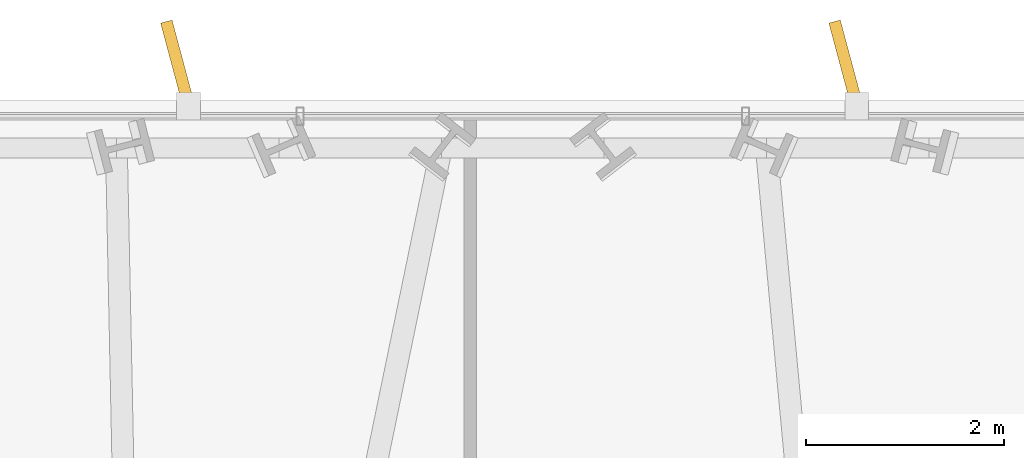
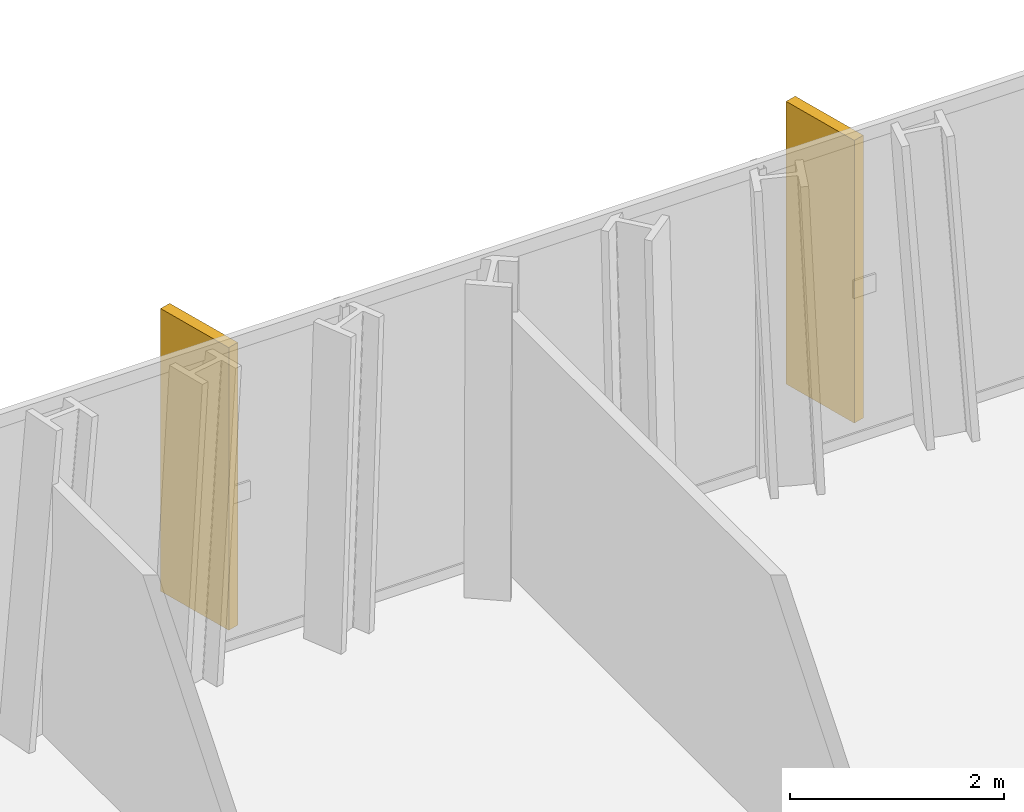
# One storey, part 31 of 31: 2 shading devices.
"""IFC4 building model written with IfcOpenShell, lengths in metres."""

import ifcopenshell
import ifcopenshell.guid

model = None  # the IFC model being written
_history = None  # IfcOwnerHistory: only IFC2X3 demands one
_inside = {}  # id of a spatial element -> (the spatial element, [elements in it])
_under = {}  # id of a project, library or spatial element -> (it, [spatial elements below it])
_declared = {}  # id of a project -> (the project, [libraries it declares])
_typed = {}  # id of a type object -> (the type object, [elements of that type])
_made_of = {}  # id of a material, layer set ... -> (it, [elements and type objects made of it])


def new_model(schema):
    """Start an empty IFC model of exactly this schema.

    Asked for "IFC4X3", IfcOpenShell would pick the latest addendum, in which some entities
    have other attributes; the version numbers below select the first issue.
    IFC2X3 requires an IfcOwnerHistory on every rooted entity: one is made here for all.
    """
    global model, _history
    if schema == "IFC4X3":
        model = ifcopenshell.file(schema_version=(4, 3, 0, 0))
    else:
        model = ifcopenshell.file(schema=schema)
    _inside.clear()
    _under.clear()
    _declared.clear()
    _typed.clear()
    _made_of.clear()
    _history = None
    if model.schema == "IFC2X3":
        org = make("IfcOrganization", Name="unknown")
        user = make(
            "IfcPersonAndOrganization",
            ThePerson=make("IfcPerson", FamilyName="unknown"),
            TheOrganization=org,
        )
        app = make(
            "IfcApplication",
            ApplicationDeveloper=org,
            Version="unknown",
            ApplicationFullName="unknown",
            ApplicationIdentifier="unknown",
        )
        _history = make(
            "IfcOwnerHistory",
            OwningUser=user,
            OwningApplication=app,
            ChangeAction="ADDED",
            CreationDate=0,
        )
    return model


def make(cls, **values):
    """One entity of the class cls with the attributes given. An attribute that is None is left unset."""
    return model.create_entity(
        cls, **{name: value for name, value in values.items() if value is not None}
    )


def rooted(cls, **values):
    """An entity with a GlobalId (a new one), such as an element, a storey or a relation."""
    return make(cls, GlobalId=ifcopenshell.guid.new(), OwnerHistory=_history, **values)


def si_unit(unit_type, name, prefix=None):
    """IfcSIUnit, for example si_unit("LENGTHUNIT", "METRE", prefix="MILLI")."""
    return make("IfcSIUnit", UnitType=unit_type, Prefix=prefix, Name=name)


def assignment(units):
    """IfcUnitAssignment: the units of a project."""
    return None if units is None else make("IfcUnitAssignment", Units=units)


def point(xyz):
    """IfcCartesianPoint."""
    return None if xyz is None else make("IfcCartesianPoint", Coordinates=xyz)


def direction(xyz):
    """IfcDirection."""
    return None if xyz is None else make("IfcDirection", DirectionRatios=xyz)


def frame(location, z_axis=None, x_axis=None):
    """IfcAxis2Placement3D, a coordinate frame: its origin and axes. An axis left out is left unset."""
    return make(
        "IfcAxis2Placement3D",
        Location=point(location),
        Axis=direction(z_axis),
        RefDirection=direction(x_axis),
    )


def frame_2d(location, x_axis=None):
    """IfcAxis2Placement2D, a coordinate frame in the plane: its origin and x axis."""
    return make(
        "IfcAxis2Placement2D", Location=point(location), RefDirection=direction(x_axis)
    )


def origin():
    """The frame at (0, 0, 0) with its axes left unset."""
    return frame((0.0, 0.0, 0.0))


def origin_2d():
    """The frame at (0, 0) in the plane with its x axis left unset."""
    return frame_2d((0.0, 0.0))


def place(relative_to, where):
    """IfcLocalPlacement: puts the frame where relative to a parent placement (None: the world)."""
    return make(
        "IfcLocalPlacement", PlacementRelTo=relative_to, RelativePlacement=where
    )


def context(
    kind, dimensions, precision=None, world=None, true_north=None, identifier=None
):
    """IfcGeometricRepresentationContext, for example the 3D "Model" context."""
    return make(
        "IfcGeometricRepresentationContext",
        ContextIdentifier=identifier,
        ContextType=kind,
        CoordinateSpaceDimension=dimensions,
        Precision=precision,
        WorldCoordinateSystem=world,
        TrueNorth=true_north,
    )


def subcontext(parent, identifier, kind, view, scale=None):
    """IfcGeometricRepresentationSubContext, for example "Body" below "Model"."""
    return make(
        "IfcGeometricRepresentationSubContext",
        ContextIdentifier=identifier,
        ContextType=kind,
        ParentContext=parent,
        TargetScale=scale,
        TargetView=view,
    )


def project(units=None, contexts=None):
    """IfcProject with its units and contexts."""
    return rooted(
        "IfcProject",
        Name="project",
        RepresentationContexts=contexts,
        UnitsInContext=assignment(units),
    )


def spatial(cls, under=None, at=None, **own):
    """A site, building, storey or space (cls), placed at a placement, below another one or the project."""
    s = rooted(cls, ObjectPlacement=at, **own)
    if under is not None:
        _under.setdefault(under.id(), (under, []))[1].append(s)
    return s


def profile(cls, at=None, kind="AREA", **sizes):
    """A parametric profile (cls). Its sizes go by their IFC names, for example OverallWidth=200.0."""
    return make(cls, ProfileType=kind, Position=at, **sizes)


def rectangle(**sizes):
    """IfcRectangleProfileDef."""
    return profile("IfcRectangleProfileDef", **sizes)


def extrude(swept, where, along, depth):
    """IfcExtrudedAreaSolid: the profile swept, set in the frame where, extruded along a direction by depth."""
    return make(
        "IfcExtrudedAreaSolid",
        SweptArea=swept,
        Position=where,
        ExtrudedDirection=direction(along),
        Depth=depth,
    )


def shape(context_of_items, identifier, shape_type, items):
    """IfcShapeRepresentation: the items that make up one representation, for example the "Body"."""
    return make(
        "IfcShapeRepresentation",
        ContextOfItems=context_of_items,
        RepresentationIdentifier=identifier,
        RepresentationType=shape_type,
        Items=items,
    )


def material(Name=None, Category=None):
    """IfcMaterial."""
    return make("IfcMaterial", Name=Name, Category=Category)


def made_of(thing, what):
    """Note that an element or type object is made of a material, layer set ...; save() writes the relation."""
    if what is not None:
        _made_of.setdefault(what.id(), (what, []))[1].append(thing)
    return thing


def type_object(cls, material=None, **own):
    """A type object (cls), such as IfcWallType, which elements share."""
    return made_of(rooted(cls, **own), material)


def element(
    cls,
    number,
    at=None,
    inside=None,
    cuts=None,
    type_object=None,
    material=None,
    context=None,
    identifier="Body",
    shape_type=None,
    held_by="IfcProductDefinitionShape",
    body=None,
    shapes=None,
    **own,
):
    """One element of the class cls, such as IfcWall. Its Tag is "e" and its number.

    at: its placement. inside: the storey or other place that contains it. cuts: it is an
    opening in that element (IfcRelVoidsElement). A single representation is given by context,
    identifier, shape_type and body (its items); several are given by shapes. held_by: the class
    of the entity that holds the representations. save() writes the other relations.
    """
    e = rooted(cls, Tag="e%d" % number, ObjectPlacement=at, **own)
    if body is not None:
        shapes = [shape(context, identifier, shape_type, body)]
    if shapes is not None:
        e.Representation = make(held_by, Representations=shapes)
    if inside is not None:
        _inside.setdefault(inside.id(), (inside, []))[1].append(e)
    if cuts is not None:
        rooted(
            "IfcRelVoidsElement", RelatingBuildingElement=cuts, RelatedOpeningElement=e
        )
    if type_object is not None:
        _typed.setdefault(type_object.id(), (type_object, []))[1].append(e)
    return made_of(e, material)


def aggregate(whole, parts):
    """IfcRelAggregates: a whole, such as a stair, and the parts it consists of."""
    return rooted("IfcRelAggregates", RelatingObject=whole, RelatedObjects=parts)


def save(model, path):
    """Write the relations noted so far, then the file.

    IfcRelAggregates (storeys below a building ...), IfcRelContainedInSpatialStructure (elements
    in a storey), IfcRelDefinesByType, IfcRelAssociatesMaterial and IfcRelDeclares: one each for
    every whole, place, type object, material and project.
    """
    for whole, parts in _under.values():
        aggregate(whole, parts)
    for where, things in _inside.values():
        rooted(
            "IfcRelContainedInSpatialStructure",
            RelatedElements=things,
            RelatingStructure=where,
        )
    for kind, things in _typed.values():
        rooted("IfcRelDefinesByType", RelatedObjects=things, RelatingType=kind)
    for what, things in _made_of.values():
        rooted("IfcRelAssociatesMaterial", RelatedObjects=things, RelatingMaterial=what)
    for by, libraries in _declared.values():
        rooted("IfcRelDeclares", RelatingContext=by, RelatedDefinitions=libraries)
    model.write(path)


model = new_model("IFC4")

# Units and contexts
model_context = context("Model", 3, precision=1e-05, world=origin(), true_north=direction((0.0, 1.0)))
body_context = subcontext(model_context, "Body", "Model", "MODEL_VIEW")
ifc_project = project(units=[si_unit("LENGTHUNIT", "METRE"), si_unit("AREAUNIT", "SQUARE_METRE"), si_unit("VOLUMEUNIT", "CUBIC_METRE"), si_unit("PLANEANGLEUNIT", "RADIAN"), si_unit("MASSUNIT", "GRAM", prefix="KILO")], contexts=[model_context])

# Site, building, storey
site_placement = place(None, origin())
site = spatial("IfcSite", under=ifc_project, at=site_placement, CompositionType="ELEMENT")
building_placement = place(site_placement, origin())
building = spatial("IfcBuilding", under=site, at=building_placement, Name="Ndaravel Arena Tower", CompositionType="ELEMENT")
storey_placement = place(building_placement, frame((0.0, 0.0, 108.199951171875)))
storey = spatial("IfcBuildingStorey", under=building, at=storey_placement, Name="L25", CompositionType="ELEMENT", Elevation=108.199951171875)

# Shading devices
ifc_material = material(Name="Masonry", Category="masonry")
shading_device_type = type_object("IfcShadingDeviceType", Name="SHD-MAZERAS-FIN", PredefinedType="SHUTTER", material=ifc_material)
for number, where, z_axis, x_axis, name in (
    (1, (45.262451171875, 46.482421875, 0.14990234375), (0.0, 0.0, 1.0), (-0.258819045103, 0.965925826289, 0.0), "L25 Mazeras Stone Solar Fin E4.1"),
    (2, (38.523193359375, 46.482421875, 0.14990234375), (0.0, 0.0, 1.0), (-0.258819045103, 0.965925826289, 0.0), "L25 Mazeras Stone Solar Fin E4.2"),
):
    element("IfcShadingDevice", number, at=place(storey_placement, frame(where, z_axis=z_axis, x_axis=x_axis)), inside=storey, type_object=shading_device_type, Name=name, PredefinedType="SHUTTER", context=body_context, shape_type="SweptSolid", body=[
        extrude(rectangle(XDim=0.89990234375, YDim=0.1201171875, at=origin_2d()), origin(), (0.0, 0.0, 1.0), 3.219970703125),
    ])

save(model, "model.ifc")
